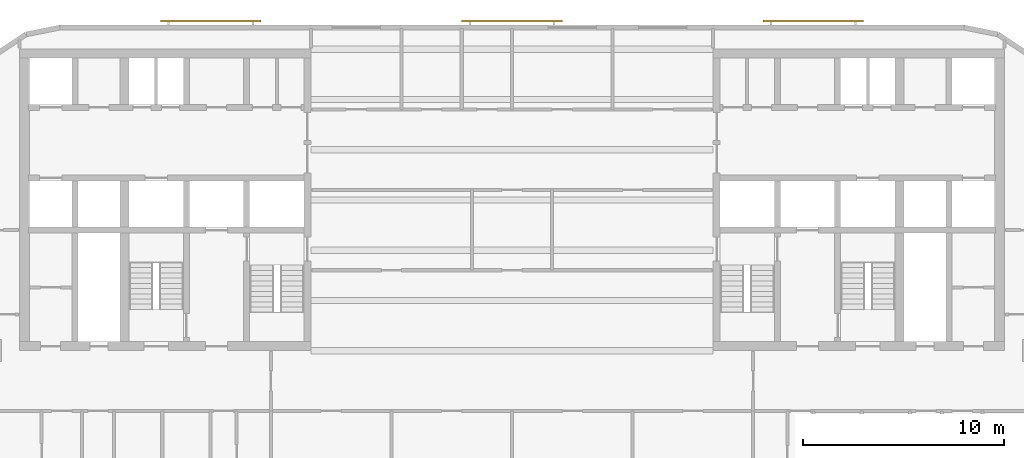
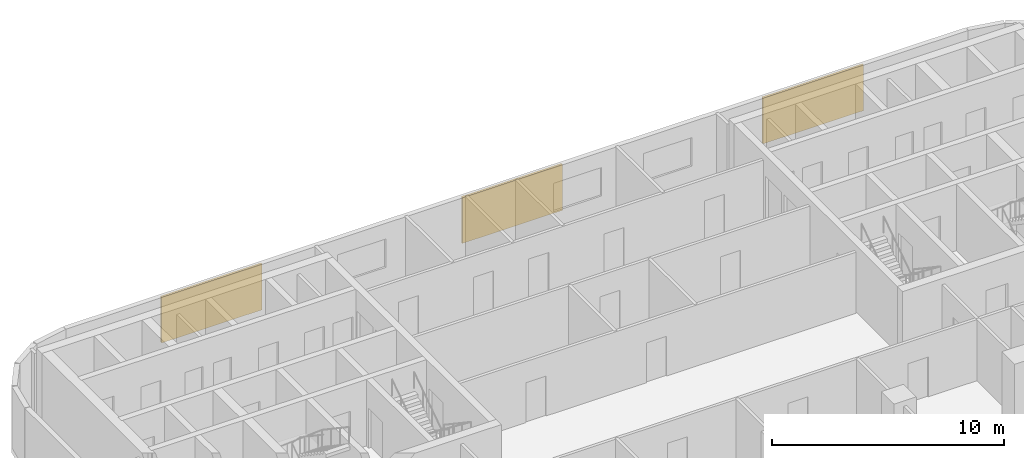
# One storey, part 11 of 12: 3 shading devices.
"""IFC4 building model written with IfcOpenShell, lengths in metres."""

from ifc_helpers import new_model, si_unit, direction, frame, origin, origin_2d, place, context, subcontext, project, spatial, rectangle, extrude, material, layer, layer_set, type_object, element, save


model = new_model("IFC4")

# Units and contexts
model_context = context("Model", 3, precision=1e-05, world=origin(), true_north=direction((0.0, 1.0)))
body_context = subcontext(model_context, "Body", "Model", "MODEL_VIEW")
ifc_project = project(units=[si_unit("LENGTHUNIT", "METRE"), si_unit("AREAUNIT", "SQUARE_METRE"), si_unit("VOLUMEUNIT", "CUBIC_METRE"), si_unit("PLANEANGLEUNIT", "RADIAN"), si_unit("MASSUNIT", "GRAM", prefix="KILO")], contexts=[model_context])

# Site, building, storey
site_placement = place(None, origin())
site = spatial("IfcSite", under=ifc_project, at=site_placement, CompositionType="ELEMENT")
building_placement = place(site_placement, origin())
building = spatial("IfcBuilding", under=site, at=building_placement, Name="Torana Hotel and Residences", CompositionType="ELEMENT")
storey_placement = place(building_placement, frame((0.0, 0.0, 201.10009765625)))
storey = spatial("IfcBuildingStorey", under=building, at=storey_placement, Name="L52", CompositionType="ELEMENT", Elevation=201.10009765625)

# Shading devices
ifc_material = material(Name="Concrete C40/50 precast", Category="concrete")
ifc_layer = layer(ifc_material, 0.10009765625)
ifc_layer_set = layer_set([ifc_layer], Name="SC1 PERFORATED BLOCK SCREEN PANEL 100")
shading_device_type = type_object("IfcShadingDeviceType", Name="SC1 PERFORATED BLOCK SCREEN PANEL 100", PredefinedType="USERDEFINED", material=ifc_layer_set)
for number, where, z_axis, x_axis, name in (
    (1, (14.983642578125, 1.39990234375, 0.5), (0.0, 0.0, 1.0), (-1.0, 0.0, 0.0), "Perforated block screen L52"),
    (2, (0.0, 1.39990234375, 0.5), (0.0, 0.0, 1.0), (-1.0, 0.0, 0.0), "Perforated block screen L52"),
    (3, (-14.983642578125, 1.39990234375, 0.5), (0.0, 0.0, 1.0), (-1.0, 0.0, 0.0), "Perforated block screen L52"),
):
    element("IfcShadingDevice", number, at=place(storey_placement, frame(where, z_axis=z_axis, x_axis=x_axis)), inside=storey, type_object=shading_device_type, Name=name, ObjectType="SCREEN", PredefinedType="USERDEFINED", context=body_context, shape_type="SweptSolid", body=[
        extrude(rectangle(XDim=5.0, YDim=0.10009765625, at=origin_2d()), origin(), (0.0, 0.0, 1.0), 2.419921875),
    ])

save(model, "model.ifc")
